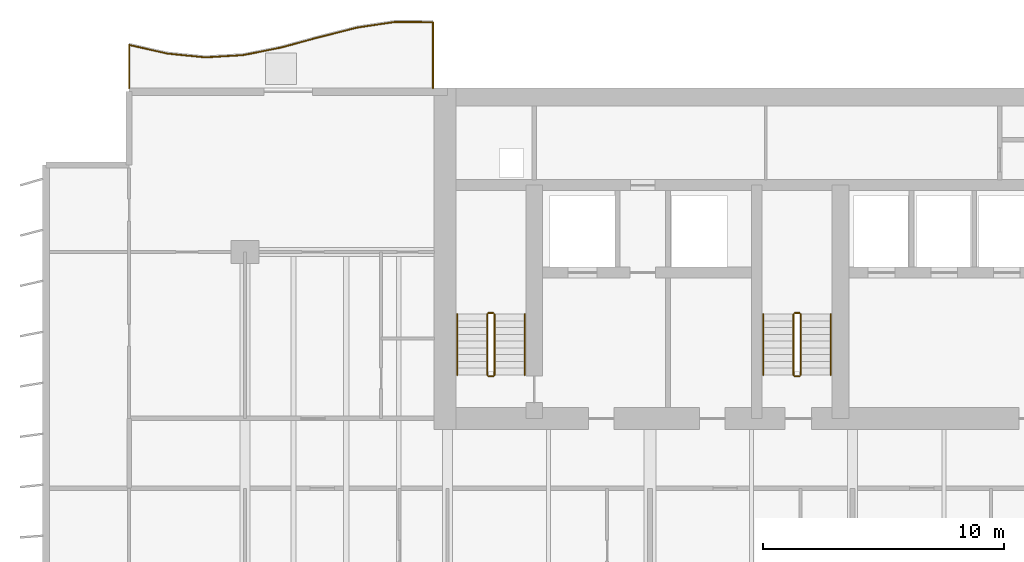
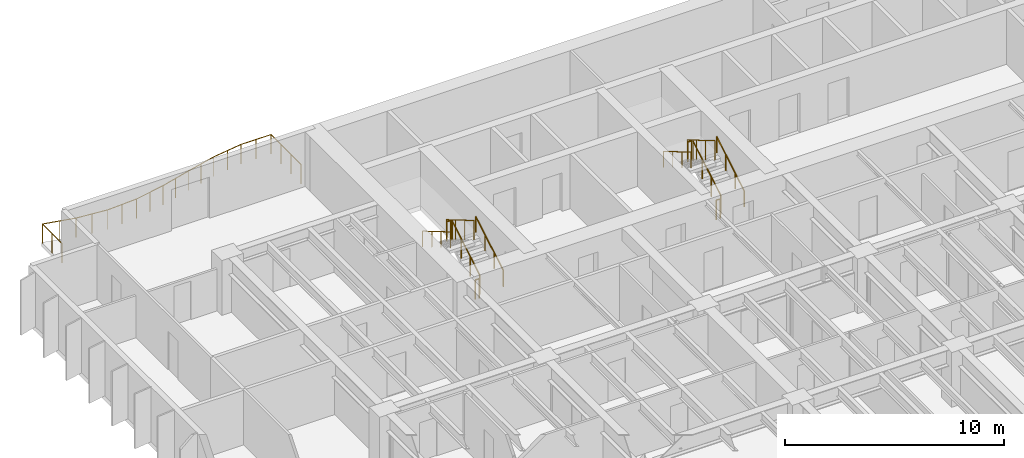
# One storey, part 16 of 18: 13 railings.
"""IFC4 building model written with IfcOpenShell, lengths in metres."""

from ifc_helpers import new_model, si_unit, direction, frame, origin, origin_2d, place, context, subcontext, project, spatial, circle, extrude, material, type_object, element, save


model = new_model("IFC4")

# Units and contexts
model_context = context("Model", 3, precision=1e-05, world=origin(), true_north=direction((0.0, 1.0)))
body_context = subcontext(model_context, "Body", "Model", "MODEL_VIEW")
ifc_project = project(units=[si_unit("LENGTHUNIT", "METRE"), si_unit("AREAUNIT", "SQUARE_METRE"), si_unit("VOLUMEUNIT", "CUBIC_METRE"), si_unit("PLANEANGLEUNIT", "RADIAN"), si_unit("MASSUNIT", "GRAM", prefix="KILO")], contexts=[model_context])

# Site, building, storey
site_placement = place(None, origin())
site = spatial("IfcSite", under=ifc_project, at=site_placement, CompositionType="ELEMENT")
building_placement = place(site_placement, origin())
building = spatial("IfcBuilding", under=site, at=building_placement, Name="Caelmar Bay Residences", CompositionType="ELEMENT")
storey_placement = place(building_placement, frame((0.0, 0.0, 39.89990234375)))
storey = spatial("IfcBuildingStorey", under=building, at=storey_placement, Name="L09", CompositionType="ELEMENT", Elevation=39.89990234375)

# Railings
ifc_material_1 = material(Name="Anodised bronze handrail with laminated hurricane glass infill", Category="glass")
railing_type_1 = type_object("IfcRailingType", Name="RL-BAL-1100", PredefinedType="BALUSTRADE", material=ifc_material_1)
railing_1_placement = place(storey_placement, frame((17.699951171875, 50.60009765625, 0.0)))
element("IfcRailing", 1, at=railing_1_placement, inside=storey, type_object=railing_type_1, Name="L09 north_west Balcony Balustrade", PredefinedType="BALUSTRADE", context=body_context, shape_type="SweptSolid", body=[
    extrude(circle(Radius=0.02392578125, at=origin_2d()), frame((0.0, 0.0, 1.076171875), z_axis=(0.0, 1.0, 0.0), x_axis=(-1.0, 0.0, 0.0)), (0.0, 0.0, 1.0), 2.733154296875),
    extrude(circle(Radius=0.02392578125, at=origin_2d()), frame((0.0, 2.733154296875, 1.076171875), z_axis=(-0.999985282216, 0.005425435572, 0.0), x_axis=(-0.005425435572, -0.999985282216, 0.0)), (0.0, 0.0, 1.0), 1.574951171875),
    extrude(circle(Radius=0.02392578125, at=origin_2d()), frame((-1.574951171875, 2.74169921875, 1.076171875), z_axis=(-0.989085424224, -0.147343216971, 0.0), x_axis=(0.147343216971, -0.989085424224, 0.0)), (0.0, 0.0, 1.0), 1.59228515625),
    extrude(circle(Radius=0.02392578125, at=origin_2d()), frame((-3.14990234375, 2.507080078125, 1.076171875), z_axis=(-0.969386499063, -0.245539844903, 0.0), x_axis=(0.245539844903, -0.969386499063, 0.0)), (0.0, 0.0, 1.0), 1.624755859375),
    extrude(circle(Radius=0.02392578125, at=origin_2d()), frame((-4.724853515625, 2.108154296875, 1.076171875), z_axis=(-0.964901735342, -0.262611197654, 0.0), x_axis=(0.262611197654, -0.964901735342, 0.0)), (0.0, 0.0, 1.0), 1.632568359375),
    extrude(circle(Radius=0.02392578125, at=origin_2d()), frame((-6.300048828125, 1.679443359375, 1.076171875), z_axis=(-0.980703271668, -0.195502155846, 0.0), x_axis=(0.195502155846, -0.980703271668, 0.0)), (0.0, 0.0, 1.0), 1.60595703125),
    extrude(circle(Radius=0.02392578125, at=origin_2d()), frame((-7.875, 1.365478515625, 1.076171875), z_axis=(-0.99825135222, -0.059112078212, 0.0), x_axis=(0.059112078212, -0.99825135222, 0.0)), (0.0, 0.0, 1.0), 1.57763671875),
    extrude(circle(Radius=0.02392578125, at=origin_2d()), frame((-9.449951171875, 1.272216796875, 1.076171875), z_axis=(-0.994962082578, 0.100251953755, 0.0), x_axis=(-0.100251953755, -0.994962082578, 0.0)), (0.0, 0.0, 1.0), 1.5830078125),
    extrude(circle(Radius=0.02392578125, at=origin_2d()), frame((-11.02490234375, 1.430908203125, 1.076171875), z_axis=(-0.975235218477, 0.221170225489, 0.0), x_axis=(-0.221170225489, -0.975235218477, 0.0)), (0.0, 0.0, 1.0), 1.614990234375),
    extrude(circle(Radius=0.02392578125, at=origin_2d()), frame((-12.599853515625, 1.7880859375, 1.076171875), z_axis=(0.0, -1.0, 0.0), x_axis=(1.0, 0.0, 0.0)), (0.0, 0.0, 1.0), 1.7880859375),
    extrude(circle(Radius=0.02099609375, at=origin_2d()), origin(), (0.0, 0.0, 1.0), 1.052001953125),
    extrude(circle(Radius=0.02099609375, at=origin_2d()), frame((0.0, 0.9111328125, 0.0)), (0.0, 0.0, 1.0), 1.052001953125),
    extrude(circle(Radius=0.02099609375, at=origin_2d()), frame((0.0, 1.822021484375, 0.0)), (0.0, 0.0, 1.0), 1.052001953125),
    extrude(circle(Radius=0.02099609375, at=origin_2d()), frame((0.0, 2.733154296875, 0.0)), (0.0, 0.0, 1.0), 1.052001953125),
    extrude(circle(Radius=0.02099609375, at=origin_2d()), frame((-0.78759765625, 2.7373046875, 0.0)), (0.0, 0.0, 1.0), 1.052001953125),
    extrude(circle(Radius=0.02099609375, at=origin_2d()), frame((-1.574951171875, 2.74169921875, 0.0)), (0.0, 0.0, 1.0), 1.052001953125),
    extrude(circle(Radius=0.02099609375, at=origin_2d()), frame((-2.3623046875, 2.62451171875, 0.0)), (0.0, 0.0, 1.0), 1.052001953125),
    extrude(circle(Radius=0.02099609375, at=origin_2d()), frame((-3.14990234375, 2.507080078125, 0.0)), (0.0, 0.0, 1.0), 1.052001953125),
    extrude(circle(Radius=0.02099609375, at=origin_2d()), frame((-3.9375, 2.3076171875, 0.0)), (0.0, 0.0, 1.0), 1.052001953125),
    extrude(circle(Radius=0.02099609375, at=origin_2d()), frame((-4.724853515625, 2.108154296875, 0.0)), (0.0, 0.0, 1.0), 1.052001953125),
    extrude(circle(Radius=0.02099609375, at=origin_2d()), frame((-5.512451171875, 1.893798828125, 0.0)), (0.0, 0.0, 1.0), 1.052001953125),
    extrude(circle(Radius=0.02099609375, at=origin_2d()), frame((-6.300048828125, 1.679443359375, 0.0)), (0.0, 0.0, 1.0), 1.052001953125),
    extrude(circle(Radius=0.02099609375, at=origin_2d()), frame((-7.08740234375, 1.5224609375, 0.0)), (0.0, 0.0, 1.0), 1.052001953125),
    extrude(circle(Radius=0.02099609375, at=origin_2d()), frame((-7.875, 1.365478515625, 0.0)), (0.0, 0.0, 1.0), 1.052001953125),
    extrude(circle(Radius=0.02099609375, at=origin_2d()), frame((-8.66259765625, 1.31884765625, 0.0)), (0.0, 0.0, 1.0), 1.052001953125),
    extrude(circle(Radius=0.02099609375, at=origin_2d()), frame((-9.449951171875, 1.272216796875, 0.0)), (0.0, 0.0, 1.0), 1.052001953125),
    extrude(circle(Radius=0.02099609375, at=origin_2d()), frame((-10.2373046875, 1.3515625, 0.0)), (0.0, 0.0, 1.0), 1.052001953125),
    extrude(circle(Radius=0.02099609375, at=origin_2d()), frame((-11.02490234375, 1.430908203125, 0.0)), (0.0, 0.0, 1.0), 1.052001953125),
    extrude(circle(Radius=0.02099609375, at=origin_2d()), frame((-11.8125, 1.609375, 0.0)), (0.0, 0.0, 1.0), 1.052001953125),
    extrude(circle(Radius=0.02099609375, at=origin_2d()), frame((-12.599853515625, 1.7880859375, 0.0)), (0.0, 0.0, 1.0), 1.052001953125),
    extrude(circle(Radius=0.02099609375, at=origin_2d()), frame((-12.599853515625, 0.89404296875, 0.0)), (0.0, 0.0, 1.0), 1.052001953125),
    extrude(circle(Radius=0.02099609375, at=origin_2d()), frame((-12.599853515625, 0.0, 0.0)), (0.0, 0.0, 1.0), 1.052001953125),
])
ifc_material_2 = material(Name="Painted galvanized steel stair guard 1100 mm", Category="steel")
railing_type_2 = type_object("IfcRailingType", Name="RL-GRD-1100", PredefinedType="GUARDRAIL", material=ifc_material_2)
railing_2_placement = place(storey_placement, frame((20.25, 38.699951171875, 0.1650390625)))
element("IfcRailing", 2, at=railing_2_placement, inside=storey, type_object=railing_type_2, Name="L09 ST1 stair guard 1", PredefinedType="GUARDRAIL", context=body_context, shape_type="SweptSolid", body=[
    extrude(circle(Radius=0.02392578125, at=origin_2d()), frame((0.0, 0.0, 1.076171875), z_axis=(0.0, 0.86152411907, 0.507716645641), x_axis=(-1.0, 0.0, 0.0)), (0.0, 0.0, 1.0), 2.925048828125),
    extrude(circle(Radius=0.02099609375, at=origin_2d()), origin(), (0.0, 0.0, 1.0), 1.052001953125),
    extrude(circle(Radius=0.02099609375, at=origin_2d()), frame((0.0, 0.840087890625, 0.4951171875)), (0.0, 0.0, 1.0), 1.052001953125),
    extrude(circle(Radius=0.02099609375, at=origin_2d()), frame((0.0, 1.679931640625, 0.989990234375)), (0.0, 0.0, 1.0), 1.052001953125),
    extrude(circle(Radius=0.02099609375, at=origin_2d()), frame((0.0, 2.52001953125, 1.485107421875)), (0.0, 0.0, 1.0), 1.052001953125),
])
railing_3_placement = place(storey_placement, frame((20.199951171875, 41.27001953125, 1.650146484375)))
element("IfcRailing", 3, at=railing_3_placement, inside=storey, type_object=railing_type_2, Name="L09 ST1 stair guard 2", PredefinedType="GUARDRAIL", context=body_context, shape_type="SweptSolid", body=[
    extrude(circle(Radius=0.02392578125, at=origin_2d()), frame((0.0, 0.0, 1.076171875), z_axis=(-1.0, 0.0, 0.0), x_axis=(0.0, -1.0, 0.0)), (0.0, 0.0, 1.0), 0.199951171875),
    extrude(circle(Radius=0.02099609375, at=origin_2d()), origin(), (0.0, 0.0, 1.0), 1.052001953125),
    extrude(circle(Radius=0.02099609375, at=origin_2d()), frame((-0.199951171875, 0.0, 0.0)), (0.0, 0.0, 1.0), 1.052001953125),
])
railing_4_placement = place(storey_placement, frame((19.949951171875, 41.219970703125, 1.815185546875)))
element("IfcRailing", 4, at=railing_4_placement, inside=storey, type_object=railing_type_2, Name="L09 ST1 stair guard 3", PredefinedType="GUARDRAIL", context=body_context, shape_type="SweptSolid", body=[
    extrude(circle(Radius=0.02392578125, at=origin_2d()), frame((0.0, 0.0, 1.076171875), z_axis=(0.0, -0.861560626758, 0.507654692109), x_axis=(1.0, 0.0, 0.0)), (0.0, 0.0, 1.0), 2.925048828125),
    extrude(circle(Radius=0.02099609375, at=origin_2d()), origin(), (0.0, 0.0, 1.0), 1.052001953125),
    extrude(circle(Radius=0.02099609375, at=origin_2d()), frame((0.0, -0.840087890625, 0.494873046875)), (0.0, 0.0, 1.0), 1.052001953125),
    extrude(circle(Radius=0.02099609375, at=origin_2d()), frame((0.0, -1.679931640625, 0.989990234375)), (0.0, 0.0, 1.0), 1.052001953125),
    extrude(circle(Radius=0.02099609375, at=origin_2d()), frame((0.0, -2.52001953125, 1.48486328125)), (0.0, 0.0, 1.0), 1.052001953125),
])
railing_5_placement = place(storey_placement, frame((20.199951171875, 38.64990234375, 0.0)))
element("IfcRailing", 5, at=railing_5_placement, inside=storey, type_object=railing_type_2, Name="L09 ST1 stair guard 4", PredefinedType="GUARDRAIL", context=body_context, shape_type="SweptSolid", body=[
    extrude(circle(Radius=0.02392578125, at=origin_2d()), frame((0.0, 0.0, 1.076171875), z_axis=(-1.0, 0.0, 0.0), x_axis=(0.0, -1.0, 0.0)), (0.0, 0.0, 1.0), 0.199951171875),
    extrude(circle(Radius=0.02099609375, at=origin_2d()), origin(), (0.0, 0.0, 1.0), 1.052001953125),
    extrude(circle(Radius=0.02099609375, at=origin_2d()), frame((-0.199951171875, 0.0, 0.0)), (0.0, 0.0, 1.0), 1.052001953125),
])
railing_6_placement = place(storey_placement, frame((32.949951171875, 38.699951171875, 0.1650390625)))
element("IfcRailing", 6, at=railing_6_placement, inside=storey, type_object=railing_type_2, Name="L09 ST3 stair guard 1", PredefinedType="GUARDRAIL", context=body_context, shape_type="SweptSolid", body=[
    extrude(circle(Radius=0.02392578125, at=origin_2d()), frame((0.0, 0.0, 1.076171875), z_axis=(0.0, 0.86152411907, 0.507716645641), x_axis=(-1.0, 0.0, 0.0)), (0.0, 0.0, 1.0), 2.925048828125),
    extrude(circle(Radius=0.02099609375, at=origin_2d()), origin(), (0.0, 0.0, 1.0), 1.052001953125),
    extrude(circle(Radius=0.02099609375, at=origin_2d()), frame((0.0, 0.840087890625, 0.4951171875)), (0.0, 0.0, 1.0), 1.052001953125),
    extrude(circle(Radius=0.02099609375, at=origin_2d()), frame((0.0, 1.679931640625, 0.989990234375)), (0.0, 0.0, 1.0), 1.052001953125),
    extrude(circle(Radius=0.02099609375, at=origin_2d()), frame((0.0, 2.52001953125, 1.485107421875)), (0.0, 0.0, 1.0), 1.052001953125),
])
railing_7_placement = place(storey_placement, frame((32.89990234375, 41.27001953125, 1.650146484375)))
element("IfcRailing", 7, at=railing_7_placement, inside=storey, type_object=railing_type_2, Name="L09 ST3 stair guard 2", PredefinedType="GUARDRAIL", context=body_context, shape_type="SweptSolid", body=[
    extrude(circle(Radius=0.02392578125, at=origin_2d()), frame((0.0, 0.0, 1.076171875), z_axis=(-1.0, 0.0, 0.0), x_axis=(0.0, -1.0, 0.0)), (0.0, 0.0, 1.0), 0.199951171875),
    extrude(circle(Radius=0.02099609375, at=origin_2d()), origin(), (0.0, 0.0, 1.0), 1.052001953125),
    extrude(circle(Radius=0.02099609375, at=origin_2d()), frame((-0.199951171875, 0.0, 0.0)), (0.0, 0.0, 1.0), 1.052001953125),
])
railing_8_placement = place(storey_placement, frame((32.64990234375, 41.219970703125, 1.815185546875)))
element("IfcRailing", 8, at=railing_8_placement, inside=storey, type_object=railing_type_2, Name="L09 ST3 stair guard 3", PredefinedType="GUARDRAIL", context=body_context, shape_type="SweptSolid", body=[
    extrude(circle(Radius=0.02392578125, at=origin_2d()), frame((0.0, 0.0, 1.076171875), z_axis=(0.0, -0.861560626758, 0.507654692109), x_axis=(1.0, 0.0, 0.0)), (0.0, 0.0, 1.0), 2.925048828125),
    extrude(circle(Radius=0.02099609375, at=origin_2d()), origin(), (0.0, 0.0, 1.0), 1.052001953125),
    extrude(circle(Radius=0.02099609375, at=origin_2d()), frame((0.0, -0.840087890625, 0.494873046875)), (0.0, 0.0, 1.0), 1.052001953125),
    extrude(circle(Radius=0.02099609375, at=origin_2d()), frame((0.0, -1.679931640625, 0.989990234375)), (0.0, 0.0, 1.0), 1.052001953125),
    extrude(circle(Radius=0.02099609375, at=origin_2d()), frame((0.0, -2.52001953125, 1.48486328125)), (0.0, 0.0, 1.0), 1.052001953125),
])
railing_9_placement = place(storey_placement, frame((32.89990234375, 38.64990234375, 0.0)))
element("IfcRailing", 9, at=railing_9_placement, inside=storey, type_object=railing_type_2, Name="L09 ST3 stair guard 4", PredefinedType="GUARDRAIL", context=body_context, shape_type="SweptSolid", body=[
    extrude(circle(Radius=0.02392578125, at=origin_2d()), frame((0.0, 0.0, 1.076171875), z_axis=(-1.0, 0.0, 0.0), x_axis=(0.0, -1.0, 0.0)), (0.0, 0.0, 1.0), 0.199951171875),
    extrude(circle(Radius=0.02099609375, at=origin_2d()), origin(), (0.0, 0.0, 1.0), 1.052001953125),
    extrude(circle(Radius=0.02099609375, at=origin_2d()), frame((-0.199951171875, 0.0, 0.0)), (0.0, 0.0, 1.0), 1.052001953125),
])
ifc_material_3 = material(Name="Brushed bronze stainless-steel tubular handrail 900 mm", Category="steel")
railing_type_3 = type_object("IfcRailingType", Name="RL-HND-900", PredefinedType="HANDRAIL", material=ifc_material_3)
railing_10_placement = place(storey_placement, frame((21.5, 38.699951171875, 0.1650390625)))
element("IfcRailing", 10, at=railing_10_placement, inside=storey, type_object=railing_type_3, Name="L09 ST1 stair handrail 1", PredefinedType="HANDRAIL", context=body_context, shape_type="SweptSolid", body=[
    extrude(circle(Radius=0.02392578125, at=origin_2d()), frame((0.0, 0.0, 0.8759765625), z_axis=(0.0, 0.86152411907, 0.507716645641), x_axis=(-1.0, 0.0, 0.0)), (0.0, 0.0, 1.0), 2.925048828125),
    extrude(circle(Radius=0.02099609375, at=origin_2d()), origin(), (0.0, 0.0, 1.0), 0.851806640625),
    extrude(circle(Radius=0.02099609375, at=origin_2d()), frame((0.0, 0.840087890625, 0.4951171875)), (0.0, 0.0, 1.0), 0.851806640625),
    extrude(circle(Radius=0.02099609375, at=origin_2d()), frame((0.0, 1.679931640625, 0.989990234375)), (0.0, 0.0, 1.0), 0.851806640625),
    extrude(circle(Radius=0.02099609375, at=origin_2d()), frame((0.0, 2.52001953125, 1.485107421875)), (0.0, 0.0, 1.0), 0.851806640625),
])
railing_11_placement = place(storey_placement, frame((18.699951171875, 41.219970703125, 1.815185546875)))
element("IfcRailing", 11, at=railing_11_placement, inside=storey, type_object=railing_type_3, Name="L09 ST1 stair handrail 2", PredefinedType="HANDRAIL", context=body_context, shape_type="SweptSolid", body=[
    extrude(circle(Radius=0.02392578125, at=origin_2d()), frame((0.0, 0.0, 0.8759765625), z_axis=(0.0, -0.861560626758, 0.507654692109), x_axis=(1.0, 0.0, 0.0)), (0.0, 0.0, 1.0), 2.925048828125),
    extrude(circle(Radius=0.02099609375, at=origin_2d()), origin(), (0.0, 0.0, 1.0), 0.851806640625),
    extrude(circle(Radius=0.02099609375, at=origin_2d()), frame((0.0, -0.840087890625, 0.494873046875)), (0.0, 0.0, 1.0), 0.851806640625),
    extrude(circle(Radius=0.02099609375, at=origin_2d()), frame((0.0, -1.679931640625, 0.989990234375)), (0.0, 0.0, 1.0), 0.851806640625),
    extrude(circle(Radius=0.02099609375, at=origin_2d()), frame((0.0, -2.52001953125, 1.48486328125)), (0.0, 0.0, 1.0), 0.851806640625),
])
railing_12_placement = place(storey_placement, frame((34.199951171875, 38.699951171875, 0.1650390625)))
element("IfcRailing", 12, at=railing_12_placement, inside=storey, type_object=railing_type_3, Name="L09 ST3 stair handrail 1", PredefinedType="HANDRAIL", context=body_context, shape_type="SweptSolid", body=[
    extrude(circle(Radius=0.02392578125, at=origin_2d()), frame((0.0, 0.0, 0.8759765625), z_axis=(0.0, 0.86152411907, 0.507716645641), x_axis=(-1.0, 0.0, 0.0)), (0.0, 0.0, 1.0), 2.925048828125),
    extrude(circle(Radius=0.02099609375, at=origin_2d()), origin(), (0.0, 0.0, 1.0), 0.851806640625),
    extrude(circle(Radius=0.02099609375, at=origin_2d()), frame((0.0, 0.840087890625, 0.4951171875)), (0.0, 0.0, 1.0), 0.851806640625),
    extrude(circle(Radius=0.02099609375, at=origin_2d()), frame((0.0, 1.679931640625, 0.989990234375)), (0.0, 0.0, 1.0), 0.851806640625),
    extrude(circle(Radius=0.02099609375, at=origin_2d()), frame((0.0, 2.52001953125, 1.485107421875)), (0.0, 0.0, 1.0), 0.851806640625),
])
railing_13_placement = place(storey_placement, frame((31.39990234375, 41.219970703125, 1.815185546875)))
element("IfcRailing", 13, at=railing_13_placement, inside=storey, type_object=railing_type_3, Name="L09 ST3 stair handrail 2", PredefinedType="HANDRAIL", context=body_context, shape_type="SweptSolid", body=[
    extrude(circle(Radius=0.02392578125, at=origin_2d()), frame((0.0, 0.0, 0.8759765625), z_axis=(0.0, -0.861560626758, 0.507654692109), x_axis=(1.0, 0.0, 0.0)), (0.0, 0.0, 1.0), 2.925048828125),
    extrude(circle(Radius=0.02099609375, at=origin_2d()), origin(), (0.0, 0.0, 1.0), 0.851806640625),
    extrude(circle(Radius=0.02099609375, at=origin_2d()), frame((0.0, -0.840087890625, 0.494873046875)), (0.0, 0.0, 1.0), 0.851806640625),
    extrude(circle(Radius=0.02099609375, at=origin_2d()), frame((0.0, -1.679931640625, 0.989990234375)), (0.0, 0.0, 1.0), 0.851806640625),
    extrude(circle(Radius=0.02099609375, at=origin_2d()), frame((0.0, -2.52001953125, 1.48486328125)), (0.0, 0.0, 1.0), 0.851806640625),
])

save(model, "model.ifc")
